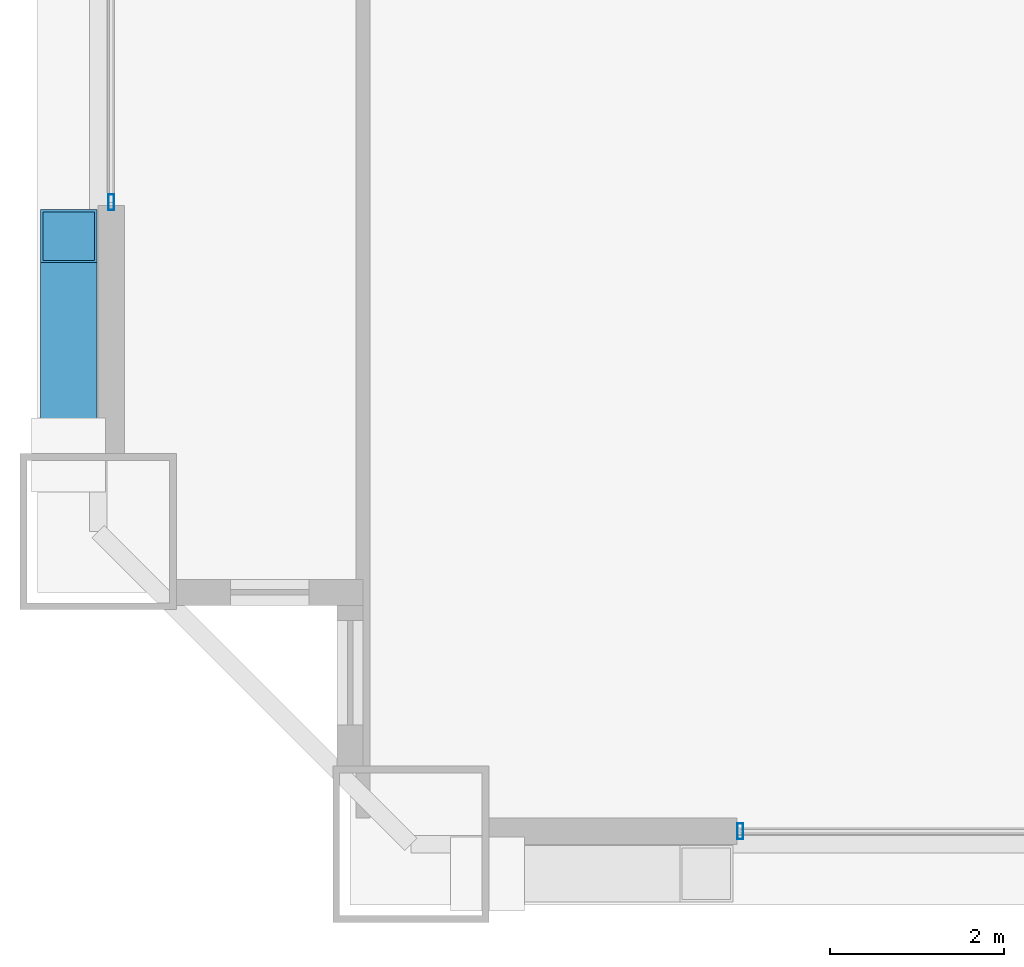
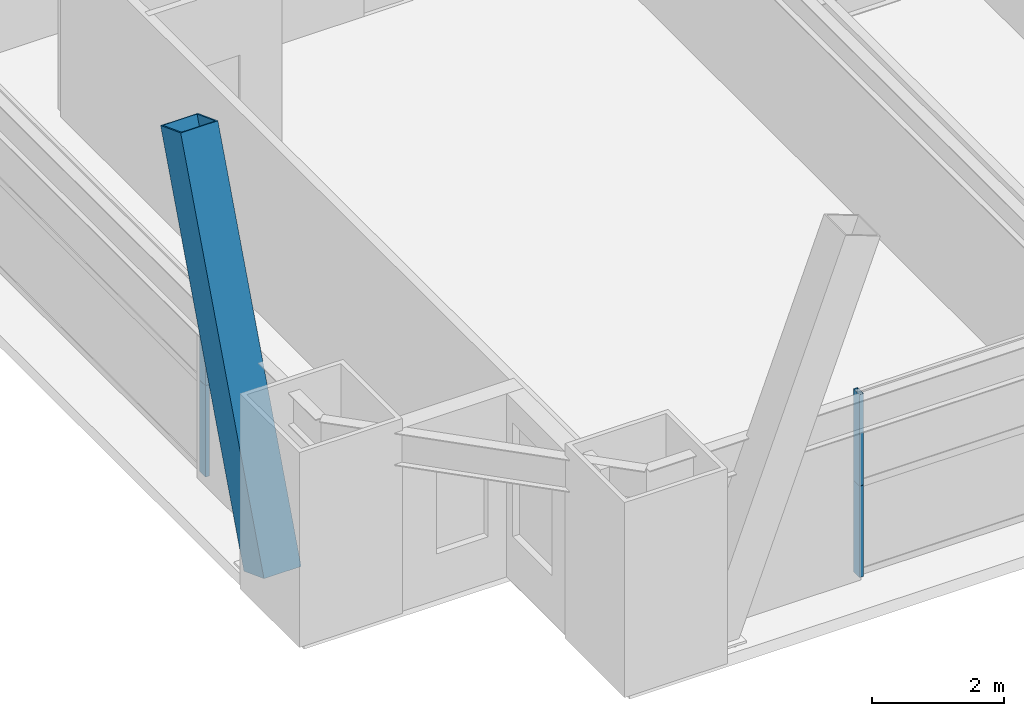
# One storey, part 3 of 43: 5 members, 2 elements without a shape of their own.
"""IFC4 building model written with IfcOpenShell, lengths in metres."""

from ifc_helpers import new_model, si_unit, direction, frame, origin, origin_2d, place, context, subcontext, project, spatial, hollow_rectangle, extrude, source, transform, mapped, material, layer, layer_set, material_profile, profile_set, type_object, element, aggregate, save


model = new_model("IFC4")

# Units and contexts
model_context = context("Model", 3, precision=1e-05, world=origin(), true_north=direction((0.0, 1.0)))
body_context = subcontext(model_context, "Body", "Model", "MODEL_VIEW")
ifc_project = project(units=[si_unit("LENGTHUNIT", "METRE"), si_unit("AREAUNIT", "SQUARE_METRE"), si_unit("VOLUMEUNIT", "CUBIC_METRE"), si_unit("PLANEANGLEUNIT", "RADIAN"), si_unit("MASSUNIT", "GRAM", prefix="KILO"), si_unit("THERMODYNAMICTEMPERATUREUNIT", "KELVIN"), si_unit("POWERUNIT", "WATT")], contexts=[model_context])

# Site, building, storey
site_placement = place(None, origin())
site = spatial("IfcSite", under=ifc_project, at=site_placement, CompositionType="ELEMENT")
building_placement = place(site_placement, origin())
building = spatial("IfcBuilding", under=site, at=building_placement, Name="Yuzanri Waterfront Tower", CompositionType="ELEMENT")
storey_placement = place(building_placement, frame((0.0, 0.0, 74.800048828125)))
storey = spatial("IfcBuildingStorey", under=building, at=storey_placement, Name="L19", CompositionType="ELEMENT", Elevation=74.800048828125)

# Member
ifc_material_1 = material(Name="Steel Q420GJC", Category="steel")
ifc_material_profile_1 = material_profile(ifc_material_1, hollow_rectangle(XDim=0.64990234375, YDim=0.64990234375, WallThickness=0.028076171875, at=origin_2d()), Name="RHS 650x650x28")
ifc_profile_set_1 = profile_set([ifc_material_profile_1], Name="Steel Q420GJC")
member_type_1 = type_object("IfcMemberType", Name="Mega Brace Lower Q420GJC RHS 650x650x28", PredefinedType="BRACE", material=ifc_profile_set_1)
shared_shape_1 = source(origin(), body_context, "Body", "SweptSolid", [
    extrude(hollow_rectangle(XDim=0.64990234375, YDim=0.64990234375, WallThickness=0.028076171875, at=origin_2d()), origin(), (0.0, 0.0, 1.0), 7.158203125),
])
member_1_placement = place(storey_placement, frame((11.56005859375, 5.179931640625, 0.179931640625), z_axis=(0.0, 0.352046480343, 0.935982518896), x_axis=(-1.0, 0.0, 0.0)))
element("IfcMember", 1, at=member_1_placement, inside=storey, type_object=member_type_1, Name="L19-L20 Perimeter Mega-Brace W-L", PredefinedType="BRACE", context=body_context, shape_type="MappedRepresentation", body=[
    mapped(shared_shape_1, transform((0.0, 0.0, 0.0), scale=1.0)),
])

# Curtain wall, members
ifc_material_2 = material(Name="Anodized Architectural Bronze", Category="metal")
ifc_layer = layer(ifc_material_2, 0.159912109375)
ifc_layer_set = layer_set([ifc_layer], Name="Anodized Architectural Bronze")
curtain_wall_type = type_object("IfcCurtainWallType", Name="Anodized Bronze Hotel Lower-Tier Recessed Unitized Curtain Wall 8100", PredefinedType="NOTDEFINED", material=ifc_layer_set)
curtain_wall_1_placement = place(storey_placement, origin())
curtain_wall_1 = element("IfcCurtainWall", 2, at=curtain_wall_1_placement, inside=storey, type_object=curtain_wall_type, Name="L19 Curtain Wall CW-L19-SL", PredefinedType="NOTDEFINED")
ifc_material_3 = material(Name="Anodized Architectural Bronze", Category="metal")
ifc_material_profile_2 = material_profile(ifc_material_3, hollow_rectangle(XDim=0.070068359375, YDim=0.179931640625, WallThickness=0.00390625, at=origin_2d()), Name="CWM 70x180")
ifc_profile_set_2 = profile_set([ifc_material_profile_2], Name="Anodized Architectural Bronze")
member_type_2 = type_object("IfcMemberType", Name="Anodized Bronze Standard Curtain-Wall Mullion 70x180", PredefinedType="MULLION", material=ifc_profile_set_2)
shared_shape_2 = source(origin(), body_context, "Body", "SweptSolid", [
    extrude(hollow_rectangle(XDim=0.070068359375, YDim=0.179931640625, WallThickness=0.00390625, at=origin_2d()), origin(), (0.0, 0.0, 1.0), 1.68798828125),
])
member_2_placement = place(storey_placement, frame((19.2900390625, 0.85009765625, 0.0), z_axis=(0.0, 0.0, 1.0), x_axis=(1.0, 0.0, 0.0)))
member_2 = element("IfcMember", 3, at=member_2_placement, type_object=member_type_2, Name="CW-L19-SL Lower Mullion 00", PredefinedType="MULLION", context=body_context, shape_type="MappedRepresentation", body=[
    mapped(shared_shape_2, transform((0.0, 0.0, 0.0), scale=1.0)),
])
member_3_placement = place(storey_placement, frame((19.2900390625, 0.85009765625, 1.69189453125), z_axis=(0.0, 0.0, 1.0), x_axis=(1.0, 0.0, 0.0)))
member_3 = element("IfcMember", 4, at=member_3_placement, type_object=member_type_2, Name="CW-L19-SL Upper Mullion 00", PredefinedType="MULLION", context=body_context, shape_type="MappedRepresentation", body=[
    mapped(shared_shape_2, transform((0.0, 0.0, 0.0), scale=1.0)),
])
aggregate(curtain_wall_1, [member_2, member_3])

curtain_wall_2_placement = place(storey_placement, origin())
curtain_wall_2 = element("IfcCurtainWall", 5, at=curtain_wall_2_placement, inside=storey, type_object=curtain_wall_type, Name="L19 Curtain Wall CW-L19-WL", PredefinedType="NOTDEFINED")
member_4_placement = place(storey_placement, frame((12.050048828125, 8.090087890625, 0.0), z_axis=(0.0, 0.0, 1.0), x_axis=(1.0, 0.0, 0.0)))
member_4 = element("IfcMember", 6, at=member_4_placement, type_object=member_type_2, Name="CW-L19-WL Lower Mullion 00", PredefinedType="MULLION", context=body_context, shape_type="MappedRepresentation", body=[
    mapped(shared_shape_2, transform((0.0, 0.0, 0.0), scale=1.0)),
])
member_5_placement = place(storey_placement, frame((12.050048828125, 8.090087890625, 1.69189453125), z_axis=(0.0, 0.0, 1.0), x_axis=(1.0, 0.0, 0.0)))
member_5 = element("IfcMember", 7, at=member_5_placement, type_object=member_type_2, Name="CW-L19-WL Upper Mullion 00", PredefinedType="MULLION", context=body_context, shape_type="MappedRepresentation", body=[
    mapped(shared_shape_2, transform((0.0, 0.0, 0.0), scale=1.0)),
])
aggregate(curtain_wall_2, [member_4, member_5])

save(model, "model.ifc")
